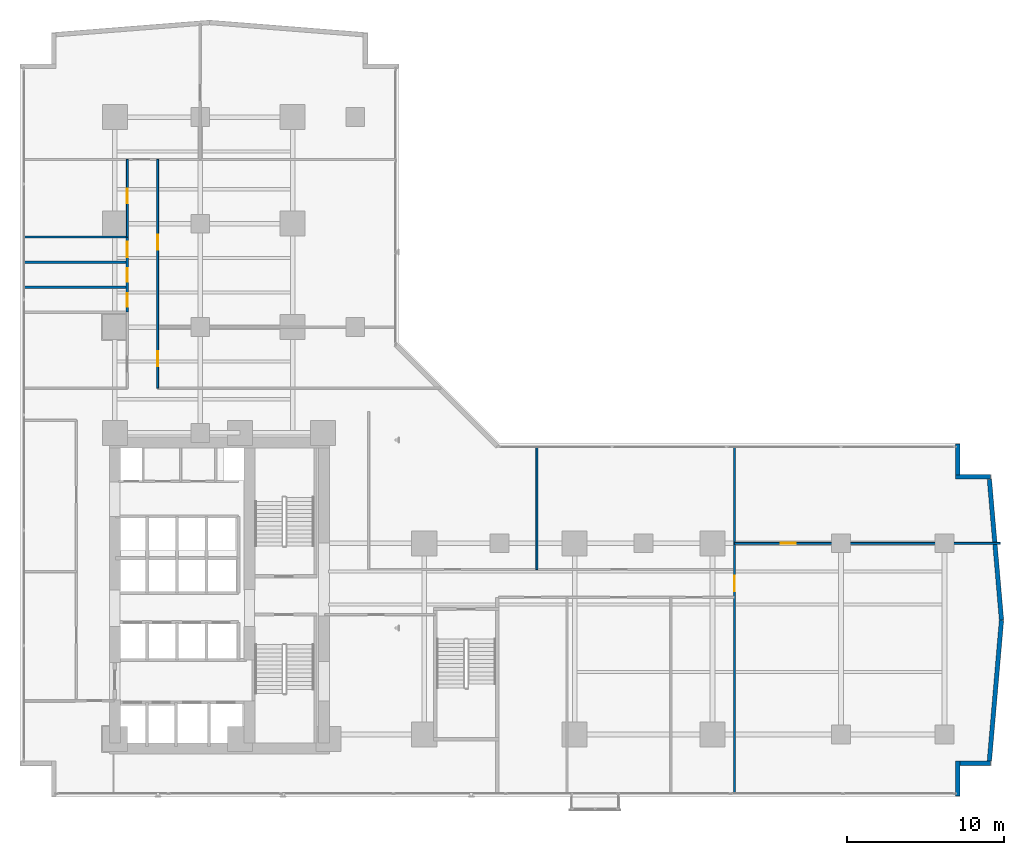
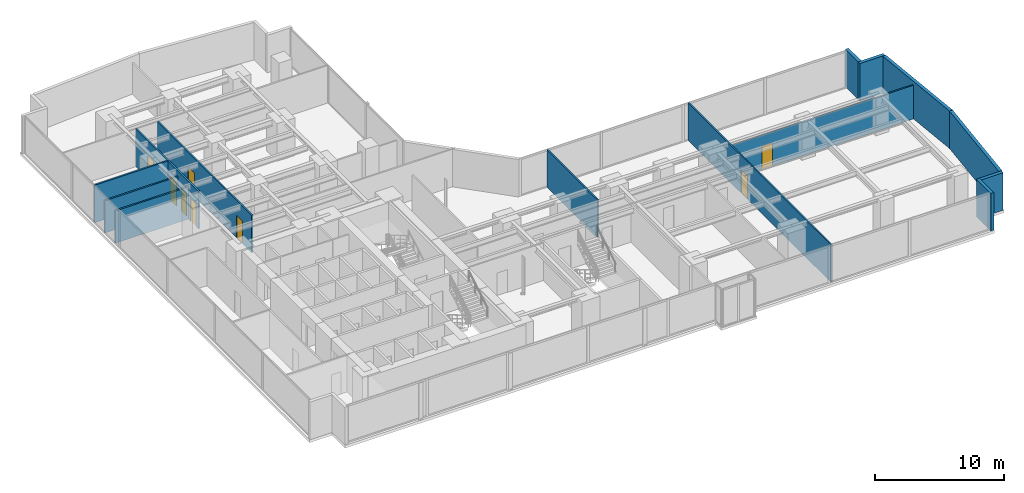
# One storey, part 24 of 30: 15 walls, 8 doors, 8 openings.
"""IFC4 building model written with IfcOpenShell, lengths in metres."""

from ifc_helpers import new_model, si_unit, direction, frame, frame_2d, origin, place, context, subcontext, project, spatial, rectangle, extrude, material, layer, layer_set, type_object, element, fill, save


model = new_model("IFC4")

# Units and contexts
model_context = context("Model", 3, precision=1e-05, world=origin(), true_north=direction((0.0, 1.0)))
body_context = subcontext(model_context, "Body", "Model", "MODEL_VIEW")
ifc_project = project(units=[si_unit("LENGTHUNIT", "METRE"), si_unit("AREAUNIT", "SQUARE_METRE"), si_unit("VOLUMEUNIT", "CUBIC_METRE"), si_unit("PLANEANGLEUNIT", "RADIAN"), si_unit("MASSUNIT", "GRAM", prefix="KILO")], contexts=[model_context])

# Site, building, storey
site_placement = place(None, origin())
site = spatial("IfcSite", under=ifc_project, at=site_placement, CompositionType="ELEMENT")
building_placement = place(site_placement, origin())
building = spatial("IfcBuilding", under=site, at=building_placement, Name="Kolvaren Waterfront Exchange", CompositionType="ELEMENT")
storey_placement = place(building_placement, frame((0.0, 0.0, 71.39990234375)))
storey = spatial("IfcBuildingStorey", under=building, at=storey_placement, Name="L18", CompositionType="ELEMENT", Elevation=71.39990234375)

# Walls
ifc_material_1 = material(Name="Precast concrete C40/50", Category="concrete")
ifc_layer_1 = layer(ifc_material_1, 0.280029296875, Name="Precast concrete C40/50")
ifc_layer_set_1 = layer_set([ifc_layer_1], Name="Precast concrete C40/50")
wall_type_1 = type_object("IfcWallType", Name="ARC-EXT-TERR-280", PredefinedType="SOLIDWALL", material=ifc_layer_set_1)
wall_1_placement = place(storey_placement, frame((61.239990234375, 1.260009765625, 0.0), z_axis=(0.0, 0.0, 1.0), x_axis=(0.0, 1.0, 0.0)))
element("IfcWall", 1, at=wall_1_placement, inside=storey, type_object=wall_type_1, Name="L18 notched corner spandrel pier SE-A", PredefinedType="SOLIDWALL", context=body_context, shape_type="SweptSolid", body=[
    extrude(rectangle(XDim=2.239990234375, YDim=0.280029296875, at=frame_2d((1.1201171875, 0.0))), origin(), (0.0, 0.0, 1.0), 3.5400390625),
])
wall_2_placement = place(storey_placement, frame((61.3798828125, 3.360107421875, 0.0), z_axis=(0.0, 0.0, 1.0), x_axis=(1.0, 0.0, 0.0)))
element("IfcWall", 2, at=wall_2_placement, inside=storey, type_object=wall_type_1, Name="L18 notched corner spandrel pier SE-B", PredefinedType="SOLIDWALL", context=body_context, shape_type="SweptSolid", body=[
    extrude(rectangle(XDim=1.960205078125, YDim=0.280029296875, at=frame_2d((0.97998046875, 0.0))), origin(), (0.0, 0.0, 1.0), 3.5400390625),
])
wall_3_placement = place(storey_placement, frame((61.239990234375, 21.764892578125, 0.0), z_axis=(0.0, 0.0, 1.0), x_axis=(0.0, 1.0, 0.0)))
element("IfcWall", 3, at=wall_3_placement, inside=storey, type_object=wall_type_1, Name="L18 notched corner spandrel pier ENE-A", PredefinedType="SOLIDWALL", context=body_context, shape_type="SweptSolid", body=[
    extrude(rectangle(XDim=1.97509765625, YDim=0.280029296875, at=frame_2d((0.987548828125, 0.0))), origin(), (0.0, 0.0, 1.0), 3.5400390625),
])
wall_4_placement = place(storey_placement, frame((61.10009765625, 21.639892578125, 0.0), z_axis=(0.0, 0.0, 1.0), x_axis=(1.0, 0.0, 0.0)))
element("IfcWall", 4, at=wall_4_placement, inside=storey, type_object=wall_type_1, Name="L18 notched corner spandrel pier ENE-B", PredefinedType="SOLIDWALL", context=body_context, shape_type="SweptSolid", body=[
    extrude(rectangle(XDim=2.239990234375, YDim=0.280029296875, at=frame_2d((1.1201171875, 0.0))), origin(), (0.0, 0.0, 1.0), 3.5400390625),
])
for number, where, z_axis, x_axis, name in (
    (5, (63.266357421875, 3.5126953125, 0.0), (0.0, 0.0, 1.0), (0.085692274626, 0.996321651912, 0.0), "L18 east prow faceted facade wall 1"),
    (6, (64.038818359375, 12.506103515625, 0.0), (0.0, 0.0, 1.0), (-0.085692274626, 0.996321651912, 0.0), "L18 east prow faceted facade wall 2"),
):
    element("IfcWall", number, at=place(storey_placement, frame(where, z_axis=z_axis, x_axis=x_axis)), inside=storey, type_object=wall_type_1, Name=name, PredefinedType="SOLIDWALL", context=body_context, shape_type="SweptSolid", body=[
        extrude(rectangle(XDim=9.014404296875, YDim=0.280029296875, at=frame_2d((4.50732421875, 0.0))), origin(), (0.0, 0.0, 1.0), 3.5400390625),
    ])

# Wall, opening, door
ifc_material_2 = material(Name="Acoustic gypsum steel stud", Category="steel")
ifc_layer_2 = layer(ifc_material_2, 0.125, Name="Acoustic gypsum steel stud")
ifc_layer_set_2 = layer_set([ifc_layer_2], Name="Acoustic gypsum steel stud")
wall_type_2 = type_object("IfcWallType", Name="ARC-PART-125", PredefinedType="PARTITIONING", material=ifc_layer_set_2)
wall_5_placement = place(storey_placement, frame((47.0, 1.43994140625, 0.0), z_axis=(0.0, 0.0, 1.0), x_axis=(0.0, 1.0, 0.0)))
wall_5 = element("IfcWall", 7, at=wall_5_placement, inside=storey, type_object=wall_type_2, Name="L18 interior wall PW-L18-ETIP-W", PredefinedType="PARTITIONING", context=body_context, shape_type="SweptSolid", body=[
    extrude(rectangle(XDim=22.1201171875, YDim=0.125, at=frame_2d((11.06005859375, 0.0))), origin(), (0.0, 0.0, 1.0), 3.5400390625),
])
opening_1_placement = place(wall_5_placement, frame((12.89990234375, 0.0, 0.0)))
opening_1 = element("IfcOpeningElement", 8, at=opening_1_placement, cuts=wall_5, Name="Opening D03", PredefinedType="OPENING", context=body_context, shape_type="SweptSolid", body=[
    extrude(rectangle(XDim=1.0, YDim=2.199951171875, at=frame_2d((0.5, 1.10009765625))), frame((0.0, 0.072509765625, 0.0), z_axis=(0.0, -1.0, 0.0), x_axis=(1.0, 0.0, 0.0)), (0.0, 0.0, 1.0), 0.14501953125),
])
ifc_material_3 = material(Name="Oak veneer accessible timber", Category="wood")
door_type_1 = type_object("IfcDoorType", Name="ARC-DR-1000", OperationType="NOTDEFINED", PredefinedType="DOOR", material=ifc_material_3)
door_1_placement = place(opening_1_placement, origin())
door_1 = element("IfcDoor", 9, at=door_1_placement, inside=storey, type_object=door_type_1, Name="L18 door DR-L18-ETIP1-D (D03)", OperationType="SINGLE_SWING_RIGHT", OverallHeight=2.199951171875, OverallWidth=1.0, PredefinedType="DOOR", context=body_context, shape_type="SweptSolid", body=[
    extrude(rectangle(XDim=1.0, YDim=2.199951171875, at=frame_2d((0.5, 1.10009765625))), frame((0.0, 0.02490234375, 0.0), z_axis=(0.0, -1.0, 0.0), x_axis=(1.0, 0.0, 0.0)), (0.0, 0.0, 1.0), 0.050048828125),
])
fill(opening_1, door_1)

wall_6_placement = place(storey_placement, frame((47.0, 17.39990234375, 0.0), z_axis=(0.0, 0.0, 1.0), x_axis=(1.0, 0.0, 0.0)))
wall_6 = element("IfcWall", 10, at=wall_6_placement, inside=storey, type_object=wall_type_2, Name="L18 interior wall PW-L18-ETIP-MID", PredefinedType="PARTITIONING", context=body_context, shape_type="SweptSolid", body=[
    extrude(rectangle(XDim=16.9599609375, YDim=0.125, at=frame_2d((8.47998046875, 0.0))), origin(), (0.0, 0.0, 1.0), 3.18017578125),
])
opening_2_placement = place(wall_6_placement, frame((2.949951171875, 0.0, 0.0)))
opening_2 = element("IfcOpeningElement", 11, at=opening_2_placement, cuts=wall_6, Name="Opening D02", PredefinedType="OPENING", context=body_context, shape_type="SweptSolid", body=[
    extrude(rectangle(XDim=0.949951171875, YDim=2.14990234375, at=frame_2d((0.47509765625, 1.074951171875))), frame((0.0, 0.072509765625, 0.0), z_axis=(0.0, -1.0, 0.0), x_axis=(1.0, 0.0, 0.0)), (0.0, 0.0, 1.0), 0.14501953125),
])
ifc_material_4 = material(Name="Oak veneer acoustic timber", Category="wood")
door_type_2 = type_object("IfcDoorType", Name="ARC-DR-950", OperationType="NOTDEFINED", PredefinedType="DOOR", material=ifc_material_4)
door_2_placement = place(opening_2_placement, origin())
door_2 = element("IfcDoor", 12, at=door_2_placement, inside=storey, type_object=door_type_2, Name="L18 door DR-L18-ETIP2-D (D02)", OperationType="SINGLE_SWING_LEFT", OverallHeight=2.14990234375, OverallWidth=0.949951171875, PredefinedType="DOOR", context=body_context, shape_type="SweptSolid", body=[
    extrude(rectangle(XDim=0.949951171875, YDim=2.14990234375, at=frame_2d((0.47509765625, 1.074951171875))), frame((0.0, 0.02490234375, 0.0), z_axis=(0.0, -1.0, 0.0), x_axis=(1.0, 0.0, 0.0)), (0.0, 0.0, 1.0), 0.050048828125),
])
fill(opening_2, door_2)

# Wall
wall_7_placement = place(storey_placement, frame((34.389892578125, 15.72998046875, 0.0), z_axis=(0.0, 0.0, 1.0), x_axis=(0.0, 1.0, 0.0)))
element("IfcWall", 13, at=wall_7_placement, inside=storey, type_object=wall_type_2, Name="L18 interior wall PW-L18-EN-DIV-1", PredefinedType="PARTITIONING", context=body_context, shape_type="SweptSolid", body=[
    extrude(rectangle(XDim=7.830078125, YDim=0.125, at=frame_2d((3.9150390625, 0.0))), origin(), (0.0, 0.0, 1.0), 3.5400390625),
])

# Wall, opening, door
wall_8_placement = place(storey_placement, frame((8.25, 36.949951171875, 0.0), z_axis=(0.0, 0.0, 1.0), x_axis=(0.0, 1.0, 0.0)))
wall_8 = element("IfcWall", 14, at=wall_8_placement, inside=storey, type_object=wall_type_2, Name="L18 interior wall PW-L18-NW-CORR", PredefinedType="PARTITIONING", context=body_context, shape_type="SweptSolid", body=[
    extrude(rectangle(XDim=4.949951171875, YDim=0.125, at=frame_2d((2.47509765625, 0.0))), origin(), (0.0, 0.0, 1.0), 3.5400390625),
])
opening_3_placement = place(wall_8_placement, frame((2.1455078125, 0.0, 0.0)))
opening_3 = element("IfcOpeningElement", 15, at=opening_3_placement, cuts=wall_8, Name="Opening D02", PredefinedType="OPENING", context=body_context, shape_type="SweptSolid", body=[
    extrude(rectangle(XDim=0.949951171875, YDim=2.14990234375, at=frame_2d((0.47509765625, 1.074951171875))), frame((0.0, 0.072509765625, 0.0), z_axis=(0.0, -1.0, 0.0), x_axis=(1.0, 0.0, 0.0)), (0.0, 0.0, 1.0), 0.14501953125),
])
door_3_placement = place(opening_3_placement, origin())
door_3 = element("IfcDoor", 16, at=door_3_placement, inside=storey, type_object=door_type_2, Name="L18 door DR-L18-NW-D-1 (D02)", OperationType="SINGLE_SWING_RIGHT", OverallHeight=2.14990234375, OverallWidth=0.949951171875, PredefinedType="DOOR", context=body_context, shape_type="SweptSolid", body=[
    extrude(rectangle(XDim=0.949951171875, YDim=2.14990234375, at=frame_2d((0.47509765625, 1.074951171875))), frame((0.0, 0.02490234375, 0.0), z_axis=(0.0, -1.0, 0.0), x_axis=(1.0, 0.0, 0.0)), (0.0, 0.0, 1.0), 0.050048828125),
])
fill(opening_3, door_3)

# Wall, openings, doors
wall_9_placement = place(storey_placement, frame((10.18994140625, 27.300048828125, 0.0), z_axis=(0.0, 0.0, 1.0), x_axis=(0.0, 1.0, 0.0)))
wall_9 = element("IfcWall", 17, at=wall_9_placement, inside=storey, type_object=wall_type_2, Name="L18 interior wall PW-L18-NE-CORR", PredefinedType="PARTITIONING", context=body_context, shape_type="SweptSolid", body=[
    extrude(rectangle(XDim=14.599853515625, YDim=0.125, at=frame_2d((7.2998046875, 0.0))), origin(), (0.0, 0.0, 1.0), 3.5400390625),
])
opening_4_placement = place(wall_9_placement, frame((1.4033203125, 0.0, 0.0)))
opening_4 = element("IfcOpeningElement", 18, at=opening_4_placement, cuts=wall_9, Name="Opening D02", PredefinedType="OPENING", context=body_context, shape_type="SweptSolid", body=[
    extrude(rectangle(XDim=0.949951171875, YDim=2.14990234375, at=frame_2d((0.47509765625, 1.074951171875))), frame((0.0, 0.072509765625, 0.0), z_axis=(0.0, -1.0, 0.0), x_axis=(1.0, 0.0, 0.0)), (0.0, 0.0, 1.0), 0.14501953125),
])
opening_5_placement = place(wall_9_placement, frame((8.845947265625, 0.0, 0.0)))
opening_5 = element("IfcOpeningElement", 19, at=opening_5_placement, cuts=wall_9, Name="Opening D02", PredefinedType="OPENING", context=body_context, shape_type="SweptSolid", body=[
    extrude(rectangle(XDim=0.949951171875, YDim=2.14990234375, at=frame_2d((0.47509765625, 1.074951171875))), frame((0.0, 0.072509765625, 0.0), z_axis=(0.0, -1.0, 0.0), x_axis=(1.0, 0.0, 0.0)), (0.0, 0.0, 1.0), 0.14501953125),
])
door_4_placement = place(opening_4_placement, origin())
door_4 = element("IfcDoor", 20, at=door_4_placement, inside=storey, type_object=door_type_2, Name="L18 door DR-L18-NE-D-1 (D02)", OperationType="SINGLE_SWING_LEFT", OverallHeight=2.14990234375, OverallWidth=0.949951171875, PredefinedType="DOOR", context=body_context, shape_type="SweptSolid", body=[
    extrude(rectangle(XDim=0.949951171875, YDim=2.14990234375, at=frame_2d((0.47509765625, 1.074951171875))), frame((0.0, 0.02490234375, 0.0), z_axis=(0.0, -1.0, 0.0), x_axis=(1.0, 0.0, 0.0)), (0.0, 0.0, 1.0), 0.050048828125),
])
fill(opening_4, door_4)
door_5_placement = place(opening_5_placement, origin())
door_5 = element("IfcDoor", 21, at=door_5_placement, inside=storey, type_object=door_type_2, Name="L18 door DR-L18-NE-D-2 (D02)", OperationType="SINGLE_SWING_RIGHT", OverallHeight=2.14990234375, OverallWidth=0.949951171875, PredefinedType="DOOR", context=body_context, shape_type="SweptSolid", body=[
    extrude(rectangle(XDim=0.949951171875, YDim=2.14990234375, at=frame_2d((0.47509765625, 1.074951171875))), frame((0.0, 0.02490234375, 0.0), z_axis=(0.0, -1.0, 0.0), x_axis=(1.0, 0.0, 0.0)), (0.0, 0.0, 1.0), 0.050048828125),
])
fill(opening_5, door_5)

ifc_material_5 = material(Name="Moisture-resistant gypsum stud")
ifc_layer_3 = layer(ifc_material_5, 0.14990234375, Name="Moisture-resistant gypsum stud")
ifc_layer_set_3 = layer_set([ifc_layer_3], Name="Moisture-resistant gypsum stud")
wall_type_3 = type_object("IfcWallType", Name="ARC-PLUMB-150", PredefinedType="PLUMBINGWALL", material=ifc_layer_set_3)
wall_10_placement = place(storey_placement, frame((8.25, 32.14990234375, 0.0), z_axis=(0.0, 0.0, 1.0), x_axis=(0.0, 1.0, 0.0)))
wall_10 = element("IfcWall", 22, at=wall_10_placement, inside=storey, type_object=wall_type_3, Name="L18 interior wall PW-L18-WC-E", PredefinedType="PLUMBINGWALL", context=body_context, shape_type="SweptSolid", body=[
    extrude(rectangle(XDim=4.800048828125, YDim=0.14990234375, at=frame_2d((2.39990234375, 0.0))), origin(), (0.0, 0.0, 1.0), 3.5400390625),
])
opening_6_placement = place(wall_10_placement, frame((0.35009765625, 0.0, 0.0)))
opening_6 = element("IfcOpeningElement", 23, at=opening_6_placement, cuts=wall_10, Name="Opening D01", PredefinedType="OPENING", context=body_context, shape_type="SweptSolid", body=[
    extrude(rectangle(XDim=0.85009765625, YDim=2.14990234375, at=frame_2d((0.425048828125, 1.074951171875))), frame((0.0, 0.0849609375, 0.0), z_axis=(0.0, -1.0, 0.0), x_axis=(1.0, 0.0, 0.0)), (0.0, 0.0, 1.0), 0.169921875),
])
opening_7_placement = place(wall_10_placement, frame((1.949951171875, 0.0, 0.0)))
opening_7 = element("IfcOpeningElement", 24, at=opening_7_placement, cuts=wall_10, Name="Opening D01", PredefinedType="OPENING", context=body_context, shape_type="SweptSolid", body=[
    extrude(rectangle(XDim=0.85009765625, YDim=2.14990234375, at=frame_2d((0.425048828125, 1.074951171875))), frame((0.0, 0.0849609375, 0.0), z_axis=(0.0, -1.0, 0.0), x_axis=(1.0, 0.0, 0.0)), (0.0, 0.0, 1.0), 0.169921875),
])
opening_8_placement = place(wall_10_placement, frame((3.5, 0.0, 0.0)))
opening_8 = element("IfcOpeningElement", 25, at=opening_8_placement, cuts=wall_10, Name="Opening D03", PredefinedType="OPENING", context=body_context, shape_type="SweptSolid", body=[
    extrude(rectangle(XDim=1.0, YDim=2.199951171875, at=frame_2d((0.5, 1.10009765625))), frame((0.0, 0.0849609375, 0.0), z_axis=(0.0, -1.0, 0.0), x_axis=(1.0, 0.0, 0.0)), (0.0, 0.0, 1.0), 0.169921875),
])
door_6_placement = place(opening_8_placement, origin())
door_6 = element("IfcDoor", 26, at=door_6_placement, inside=storey, type_object=door_type_1, Name="L18 door DR-L18-WCA-D (D03)", OperationType="SINGLE_SWING_RIGHT", OverallHeight=2.199951171875, OverallWidth=1.0, PredefinedType="DOOR", context=body_context, shape_type="SweptSolid", body=[
    extrude(rectangle(XDim=1.0, YDim=2.199951171875, at=frame_2d((0.5, 1.10009765625))), frame((0.0, 0.02490234375, 0.0), z_axis=(0.0, -1.0, 0.0), x_axis=(1.0, 0.0, 0.0)), (0.0, 0.0, 1.0), 0.050048828125),
])
fill(opening_8, door_6)
ifc_material_6 = material(Name="Oak veneer timber leaf", Category="wood")
door_type_3 = type_object("IfcDoorType", Name="ARC-DR-900", OperationType="NOTDEFINED", PredefinedType="DOOR", material=ifc_material_6)
door_7_placement = place(opening_6_placement, origin())
door_7 = element("IfcDoor", 27, at=door_7_placement, inside=storey, type_object=door_type_3, Name="L18 door DR-L18-WCM-D (D01)", OperationType="SINGLE_SWING_RIGHT", OverallHeight=2.14990234375, OverallWidth=0.85009765625, PredefinedType="DOOR", context=body_context, shape_type="SweptSolid", body=[
    extrude(rectangle(XDim=0.85009765625, YDim=2.14990234375, at=frame_2d((0.425048828125, 1.074951171875))), frame((0.0, 0.02490234375, 0.0), z_axis=(0.0, -1.0, 0.0), x_axis=(1.0, 0.0, 0.0)), (0.0, 0.0, 1.0), 0.050048828125),
])
fill(opening_6, door_7)
door_8_placement = place(opening_7_placement, origin())
door_8 = element("IfcDoor", 28, at=door_8_placement, inside=storey, type_object=door_type_3, Name="L18 door DR-L18-WCF-D (D01)", OperationType="SINGLE_SWING_LEFT", OverallHeight=2.14990234375, OverallWidth=0.85009765625, PredefinedType="DOOR", context=body_context, shape_type="SweptSolid", body=[
    extrude(rectangle(XDim=0.85009765625, YDim=2.14990234375, at=frame_2d((0.425048828125, 1.074951171875))), frame((0.0, 0.02490234375, 0.0), z_axis=(0.0, -1.0, 0.0), x_axis=(1.0, 0.0, 0.0)), (0.0, 0.0, 1.0), 0.050048828125),
])
fill(opening_7, door_8)

# Walls
for number, where, z_axis, x_axis, name in (
    (29, (1.639892578125, 33.75, 0.0), (0.0, 0.0, 1.0), (1.0, 0.0, 0.0), "L18 interior wall PW-L18-WC-1"),
    (30, (1.639892578125, 35.35009765625, 0.0), (0.0, 0.0, 1.0), (1.0, 0.0, 0.0), "L18 interior wall PW-L18-WC-2"),
):
    element("IfcWall", number, at=place(storey_placement, frame(where, z_axis=z_axis, x_axis=x_axis)), inside=storey, type_object=wall_type_3, Name=name, PredefinedType="PLUMBINGWALL", context=body_context, shape_type="SweptSolid", body=[
        extrude(rectangle(XDim=6.610107421875, YDim=0.14990234375, at=frame_2d((3.30517578125, 0.0))), origin(), (0.0, 0.0, 1.0), 3.0400390625),
    ])
wall_11_placement = place(storey_placement, frame((1.639892578125, 36.949951171875, 0.0), z_axis=(0.0, 0.0, 1.0), x_axis=(1.0, 0.0, 0.0)))
element("IfcWall", 31, at=wall_11_placement, inside=storey, type_object=wall_type_3, Name="L18 interior wall PW-L18-WC-3", PredefinedType="PLUMBINGWALL", context=body_context, shape_type="SweptSolid", body=[
    extrude(rectangle(XDim=6.610107421875, YDim=0.14990234375, at=frame_2d((3.30517578125, 0.0))), origin(), (0.0, 0.0, 1.0), 3.5400390625),
])

save(model, "model.ifc")
